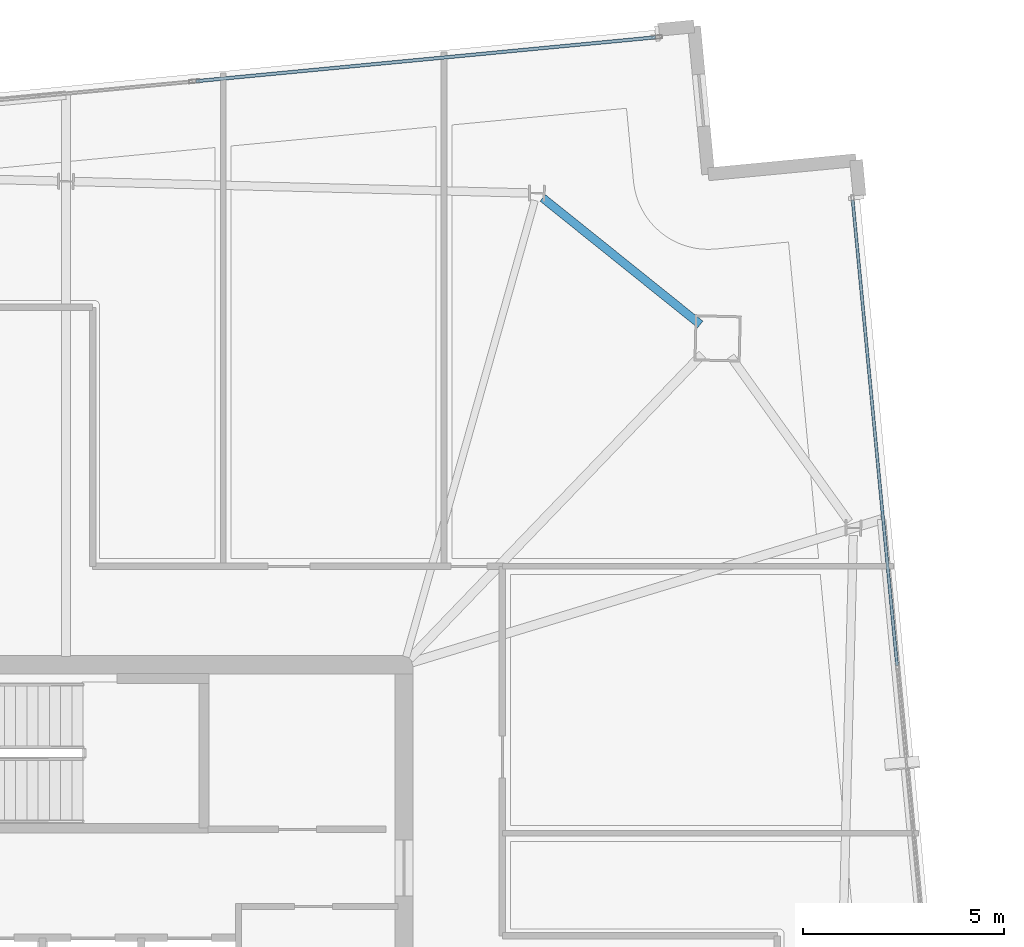
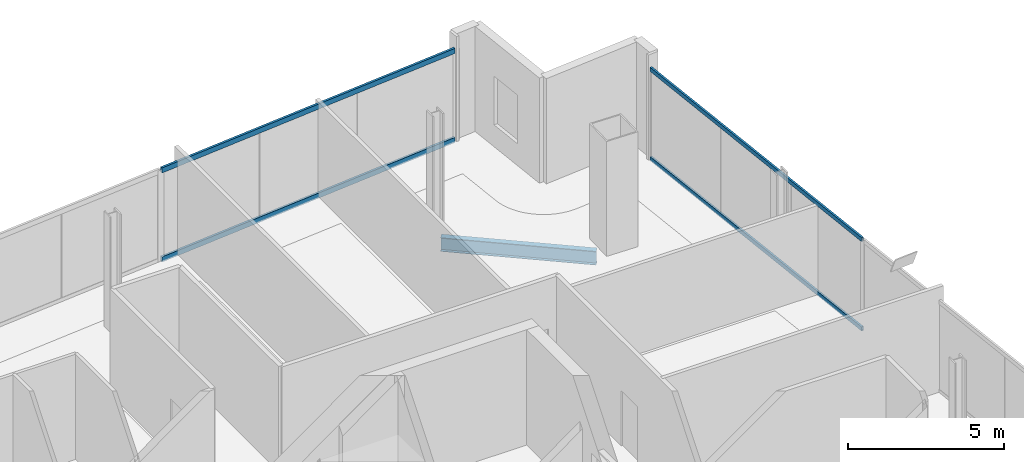
# One storey, part 15 of 24: 4 members, 1 beam, 2 elements without a shape of their own.
"""IFC4 building model written with IfcOpenShell, lengths in metres."""

from ifc_helpers import new_model, si_unit, direction, frame, origin, origin_2d, place, context, subcontext, project, spatial, hollow_rectangle, i_section, extrude, material, material_profile, profile_set, type_object, element, aggregate, save


model = new_model("IFC4")

# Units and contexts
model_context = context("Model", 3, precision=1e-05, world=origin(), true_north=direction((0.0, 1.0)))
body_context = subcontext(model_context, "Body", "Model", "MODEL_VIEW")
ifc_project = project(units=[si_unit("LENGTHUNIT", "METRE"), si_unit("AREAUNIT", "SQUARE_METRE"), si_unit("VOLUMEUNIT", "CUBIC_METRE"), si_unit("PLANEANGLEUNIT", "RADIAN"), si_unit("MASSUNIT", "GRAM", prefix="KILO")], contexts=[model_context])

# Site, building, storey
site_placement = place(None, origin())
site = spatial("IfcSite", under=ifc_project, at=site_placement, CompositionType="ELEMENT")
building_placement = place(site_placement, origin())
building = spatial("IfcBuilding", under=site, at=building_placement, Name="Haldenkirk Collegiate Tower", CompositionType="ELEMENT")
storey_placement = place(building_placement, frame((0.0, 0.0, 347.699951171875)))
storey = spatial("IfcBuildingStorey", under=building, at=storey_placement, Name="L88", CompositionType="ELEMENT", Elevation=347.699951171875)

# Beam
ifc_material_1 = material(Name="Steel ASTM A992 Grade 50", Category="steel")
ifc_material_profile_1 = material_profile(ifc_material_1, i_section(OverallWidth=0.2099609375, OverallDepth=0.537109375, WebThickness=0.010986328125, FlangeThickness=0.017333984375, at=origin_2d()), Name="W21X68")
ifc_profile_set_1 = profile_set([ifc_material_profile_1], Name="Steel ASTM A992 Grade 50")
beam_type = type_object("IfcBeamType", Name="BM-SPANDREL-W21X68", PredefinedType="SPANDREL", material=ifc_profile_set_1)
beam_placement = place(storey_placement, frame((52.380859375, 42.477294921875, -0.58837890625), z_axis=(-0.779721728928, 0.626126205678, 0.0), x_axis=(-0.626126205678, -0.779721728928, 0.0)))
element("IfcBeam", 1, at=beam_placement, inside=storey, type_object=beam_type, Name="L88 perimeter spandrel beam 05", PredefinedType="SPANDREL", context=body_context, shape_type="SweptSolid", body=[
    extrude(i_section(OverallWidth=0.2099609375, OverallDepth=0.537109375, WebThickness=0.010986328125, FlangeThickness=0.017333984375, at=origin_2d()), origin(), (0.0, 0.0, 1.0), 5.03076171875),
])

# Curtain wall, members
ifc_material_2 = material(Name="Anodised architectural bronze aluminium", Category="aluminium")
curtain_wall_type_1 = type_object("IfcCurtainWallType", Name="CW-SYS2-CONCAVE", PredefinedType="USERDEFINED", material=ifc_material_2)
curtain_wall_1_placement = place(storey_placement, origin())
curtain_wall_1 = element("IfcCurtainWall", 2, at=curtain_wall_1_placement, inside=storey, type_object=curtain_wall_type_1, Name="L88 South concave recessed bronze-anodised curtain wall", ObjectType="UNITISED CURTAIN WALL", PredefinedType="USERDEFINED")
ifc_material_profile_2 = material_profile(ifc_material_2, hollow_rectangle(XDim=0.074951171875, YDim=0.159912109375, WallThickness=0.0048828125, at=origin_2d()), Name="CW-TRN-02")
ifc_profile_set_2 = profile_set([ifc_material_profile_2], Name="Anodised architectural bronze aluminium")
member_type_1 = type_object("IfcMemberType", Name="CW-TRN-02", PredefinedType="USERDEFINED", material=ifc_profile_set_2)
member_1_placement = place(storey_placement, frame((56.176513671875, 45.579833984375, 0.03759765625), z_axis=(0.094981105387, -0.99547907543, 0.0), x_axis=(0.99547907543, 0.094981105387, 0.0)))
member_1 = element("IfcMember", 3, at=member_1_placement, type_object=member_type_1, Name="CW-02 transom 1.1", ObjectType="TRANSOM", PredefinedType="USERDEFINED", context=body_context, shape_type="SweptSolid", body=[
    extrude(hollow_rectangle(XDim=0.074951171875, YDim=0.159912109375, WallThickness=0.0048828125, at=origin_2d()), origin(), (0.0, 0.0, 1.0), 11.654296875),
])
member_2_placement = place(storey_placement, frame((56.176513671875, 45.579833984375, 3.5205078125), z_axis=(0.094981105387, -0.99547907543, 0.0), x_axis=(0.99547907543, 0.094981105387, 0.0)))
member_2 = element("IfcMember", 4, at=member_2_placement, type_object=member_type_1, Name="CW-02 transom 1.2", ObjectType="TRANSOM", PredefinedType="USERDEFINED", context=body_context, shape_type="SweptSolid", body=[
    extrude(hollow_rectangle(XDim=0.074951171875, YDim=0.159912109375, WallThickness=0.0048828125, at=origin_2d()), origin(), (0.0, 0.0, 1.0), 11.654296875),
])
aggregate(curtain_wall_1, [member_1, member_2])

curtain_wall_type_2 = type_object("IfcCurtainWallType", Name="CW-SYS1B-CONVEX-HI", PredefinedType="USERDEFINED", material=ifc_material_2)
curtain_wall_2_placement = place(storey_placement, origin())
curtain_wall_2 = element("IfcCurtainWall", 5, at=curtain_wall_2_placement, inside=storey, type_object=curtain_wall_type_2, Name="L88 Upper tower high-wind convex bronze unitised curtain wall", ObjectType="UNITISED CURTAIN WALL", PredefinedType="USERDEFINED")
ifc_material_profile_3 = material_profile(ifc_material_2, hollow_rectangle(XDim=0.0849609375, YDim=0.199951171875, WallThickness=0.0048828125, at=origin_2d()), Name="CW-TRN-1B")
ifc_profile_set_3 = profile_set([ifc_material_profile_3], Name="Anodised architectural bronze aluminium")
member_type_2 = type_object("IfcMemberType", Name="CW-TRN-1B", PredefinedType="USERDEFINED", material=ifc_profile_set_3)
member_3_placement = place(storey_placement, frame((39.819580078125, 48.53466796875, 0.04248046875), z_axis=(0.995479138552, 0.09498044382, 0.0), x_axis=(-0.09498044382, 0.995479138552, 0.0)))
member_3 = element("IfcMember", 6, at=member_3_placement, type_object=member_type_2, Name="CW-1B transom 3.1", ObjectType="TRANSOM", PredefinedType="USERDEFINED", context=body_context, shape_type="SweptSolid", body=[
    extrude(hollow_rectangle(XDim=0.0849609375, YDim=0.199951171875, WallThickness=0.0048828125, at=origin_2d()), origin(), (0.0, 0.0, 1.0), 11.49755859375),
])
member_4_placement = place(storey_placement, frame((39.819580078125, 48.53466796875, 3.515625), z_axis=(0.995479138552, 0.09498044382, 0.0), x_axis=(-0.09498044382, 0.995479138552, 0.0)))
member_4 = element("IfcMember", 7, at=member_4_placement, type_object=member_type_2, Name="CW-1B transom 3.2", ObjectType="TRANSOM", PredefinedType="USERDEFINED", context=body_context, shape_type="SweptSolid", body=[
    extrude(hollow_rectangle(XDim=0.0849609375, YDim=0.199951171875, WallThickness=0.0048828125, at=origin_2d()), origin(), (0.0, 0.0, 1.0), 11.49755859375),
])
aggregate(curtain_wall_2, [member_3, member_4])

save(model, "model.ifc")
